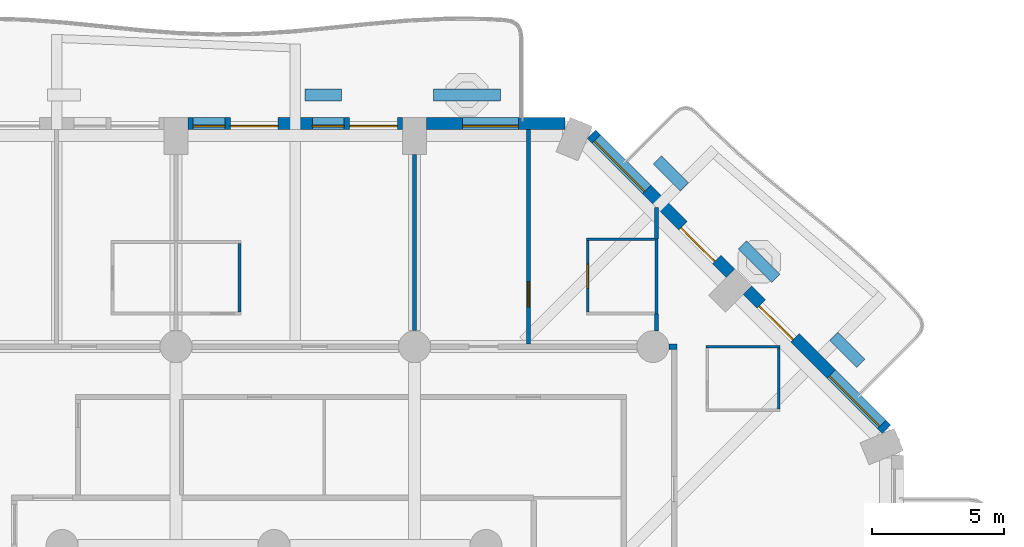
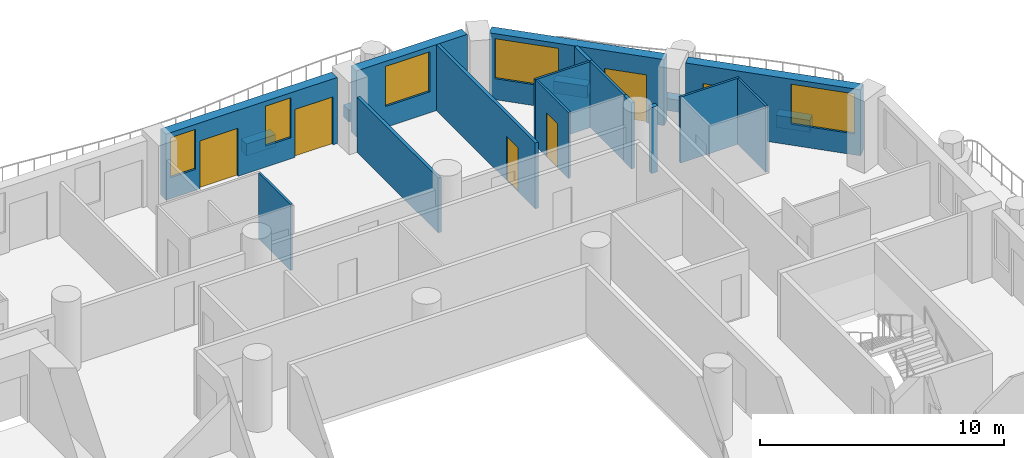
# One storey, part 10 of 20: 20 walls, 6 doors, 5 windows, 11 openings.
"""IFC4 building model written with IfcOpenShell, lengths in metres."""

from ifc_helpers import new_model, si_unit, direction, frame, frame_2d, origin, place, context, subcontext, project, spatial, rectangle, extrude, material, layer, layer_set, type_object, element, fill, save


model = new_model("IFC4")

# Units and contexts
model_context = context("Model", 3, precision=1e-05, world=origin(), true_north=direction((0.0, 1.0)))
body_context = subcontext(model_context, "Body", "Model", "MODEL_VIEW")
ifc_project = project(units=[si_unit("LENGTHUNIT", "METRE"), si_unit("AREAUNIT", "SQUARE_METRE"), si_unit("VOLUMEUNIT", "CUBIC_METRE"), si_unit("PLANEANGLEUNIT", "RADIAN"), si_unit("MASSUNIT", "GRAM", prefix="KILO")], contexts=[model_context])

# Site, building, storey
site_placement = place(None, origin())
site = spatial("IfcSite", under=ifc_project, at=site_placement, CompositionType="ELEMENT")
building_placement = place(site_placement, origin())
building = spatial("IfcBuilding", under=site, at=building_placement, Name="Cypress Arch Tower", CompositionType="ELEMENT")
storey_placement = place(building_placement, frame((0.0, 0.0, 95.10009765625)))
storey = spatial("IfcBuildingStorey", under=building, at=storey_placement, Name="L18", CompositionType="ELEMENT", Elevation=95.10009765625)

# Walls
ifc_material_1 = material(Name="Concrete C40/50, waterproofed", Category="concrete")
ifc_layer_1 = layer(ifc_material_1, 0.449951171875)
ifc_layer_set_1 = layer_set([ifc_layer_1], Name="Balcony planter wall PW450")
wall_type_1 = type_object("IfcWallType", Name="Balcony planter wall PW450", PredefinedType="SOLIDWALL", material=ifc_layer_set_1)
wall_1_placement = place(storey_placement, frame((23.150390625, 16.86376953125, 0.0), z_axis=(0.0, 0.0, 1.0), x_axis=(-0.707106781187, 0.707106781187, 0.0)))
element("IfcWall", 1, at=wall_1_placement, inside=storey, type_object=wall_type_1, Name="Balcony planter wall L18-A07.1", PredefinedType="SOLIDWALL", context=body_context, shape_type="SweptSolid", body=[
    extrude(rectangle(XDim=1.44482421875, YDim=0.449951171875, at=frame_2d((0.722412109375, 0.0))), origin(), (0.0, 0.0, 1.0), 0.599853515625),
])
wall_2_placement = place(storey_placement, frame((19.9365234375, 20.07763671875, 0.0), z_axis=(0.0, 0.0, 1.0), x_axis=(-0.707106781187, 0.707106781187, 0.0)))
element("IfcWall", 2, at=wall_2_placement, inside=storey, type_object=wall_type_1, Name="Balcony planter wall L18-A07.2", PredefinedType="SOLIDWALL", context=body_context, shape_type="SweptSolid", body=[
    extrude(rectangle(XDim=1.780517578125, YDim=0.449951171875, at=frame_2d((0.89013671875, 0.0))), origin(), (0.0, 0.0, 1.0), 0.599853515625),
])
wall_3_placement = place(storey_placement, frame((16.485595703125, 23.528564453125, 0.0), z_axis=(0.0, 0.0, 1.0), x_axis=(-0.707022305137, 0.707191247145, 0.0)))
element("IfcWall", 3, at=wall_3_placement, inside=storey, type_object=wall_type_1, Name="Balcony planter wall L18-A07.3", PredefinedType="SOLIDWALL", context=body_context, shape_type="SweptSolid", body=[
    extrude(rectangle(XDim=1.445068359375, YDim=0.449951171875, at=frame_2d((0.72265625, 0.0))), origin(), (0.0, 0.0, 1.0), 0.599853515625),
])
wall_4_placement = place(storey_placement, frame((9.550048828125, 27.0, 0.0), z_axis=(0.0, 0.0, 1.0), x_axis=(-1.0, 0.0, 0.0)))
element("IfcWall", 4, at=wall_4_placement, inside=storey, type_object=wall_type_1, Name="Balcony planter wall L18-A08.1", PredefinedType="SOLIDWALL", context=body_context, shape_type="SweptSolid", body=[
    extrude(rectangle(XDim=2.53759765625, YDim=0.449951171875, at=frame_2d((1.268798828125, 0.0))), origin(), (0.0, 0.0, 1.0), 0.599853515625),
])
wall_5_placement = place(storey_placement, frame((3.550048828125, 27.0, 0.0), z_axis=(0.0, 0.0, 1.0), x_axis=(-1.0, 0.0, 0.0)))
element("IfcWall", 5, at=wall_5_placement, inside=storey, type_object=wall_type_1, Name="Balcony planter wall L18-A08.2", PredefinedType="SOLIDWALL", context=body_context, shape_type="SweptSolid", body=[
    extrude(rectangle(XDim=1.375, YDim=0.449951171875, at=frame_2d((0.6875, 0.0))), origin(), (0.0, 0.0, 1.0), 0.599853515625),
])

# Wall, openings, door, window
ifc_material_2 = material(Name="Brick (red buff blend)", Category="masonry")
ifc_layer_2 = layer(ifc_material_2, 0.449951171875)
ifc_layer_set_2 = layer_set([ifc_layer_2], Name="Brick pier and spandrel wall BW450")
wall_type_2 = type_object("IfcWallType", Name="Brick pier and spandrel wall BW450", PredefinedType="SOLIDWALL", material=ifc_layer_set_2)
wall_6_placement = place(storey_placement, frame((24.11474609375, 14.379150390625, 0.0), z_axis=(0.0, 0.0, 1.0), x_axis=(-0.707106781187, 0.707106781187, 0.0)))
wall_6 = element("IfcWall", 6, at=wall_6_placement, inside=storey, type_object=wall_type_2, Name="Brick wall L18 A07.0", PredefinedType="SOLIDWALL", context=body_context, shape_type="SweptSolid", body=[
    extrude(rectangle(XDim=7.423828125, YDim=0.449951171875, at=frame_2d((3.7119140625, 0.0))), origin(), (0.0, 0.0, 1.0), 3.2998046875),
])
opening_1_placement = place(wall_6_placement, frame((0.253173828125, 0.0, 1.050048828125)))
opening_1 = element("IfcOpeningElement", 7, at=opening_1_placement, cuts=wall_6, Name="Opening W270HD", PredefinedType="OPENING", context=body_context, shape_type="SweptSolid", body=[
    extrude(rectangle(XDim=2.699951171875, YDim=2.0, at=frame_2d((1.35009765625, 1.0))), frame((0.0, 0.23486328125, 0.0), z_axis=(0.0, -1.0, 0.0), x_axis=(1.0, 0.0, 0.0)), (0.0, 0.0, 1.0), 0.469970703125),
])
opening_2_placement = place(wall_6_placement, frame((4.8837890625, 0.0, 0.0)))
opening_2 = element("IfcOpeningElement", 8, at=opening_2_placement, cuts=wall_6, Name="Opening D-L18-A07.0.2", PredefinedType="OPENING", context=body_context, shape_type="SweptSolid", body=[
    extrude(rectangle(XDim=1.800048828125, YDim=2.39990234375, at=frame_2d((0.89990234375, 1.199951171875))), frame((0.0, 0.23486328125, 0.0), z_axis=(0.0, -1.0, 0.0), x_axis=(1.0, 0.0, 0.0)), (0.0, 0.0, 1.0), 0.469970703125),
])
ifc_material_3 = material(Name="Anodised aluminium, bronze finish, laminated low-emissivity double glazing, large-missile impact rated", Category="aluminium")
door_type_1 = type_object("IfcDoorType", Name="Balcony sliding door 1800x2400", OperationType="SLIDING_TO_LEFT", PredefinedType="DOOR", material=ifc_material_3)
door_1_placement = place(opening_2_placement, origin())
door_1 = element("IfcDoor", 9, at=door_1_placement, inside=storey, type_object=door_type_1, Name="Balcony door L18 A07.0.2", OperationType="SLIDING_TO_LEFT", OverallHeight=2.39990234375, OverallWidth=1.800048828125, PredefinedType="DOOR", context=body_context, shape_type="SweptSolid", body=[
    extrude(rectangle(XDim=1.800048828125, YDim=2.39990234375, at=frame_2d((0.89990234375, 1.199951171875))), frame((0.0, 0.1298828125, 0.0), z_axis=(0.0, -1.0, 0.0), x_axis=(1.0, 0.0, 0.0)), (0.0, 0.0, 1.0), 0.050048828125),
])
fill(opening_2, door_1)
ifc_material_4 = material(Name="Anodised aluminium, bronze finish, laminated low-emissivity double glazing, large-missile impact rated", Category="aluminium")
window_type_1 = type_object("IfcWindowType", Name="Window Hotel 2700x2000 debris-rated", PartitioningType="SINGLE_PANEL", PredefinedType="WINDOW", material=ifc_material_4)
window_1_placement = place(opening_1_placement, origin())
window_1 = element("IfcWindow", 10, at=window_1_placement, inside=storey, type_object=window_type_1, Name="Window L18 A07.0.1", OverallHeight=2.0, OverallWidth=2.699951171875, PartitioningType="SINGLE_PANEL", PredefinedType="WINDOW", context=body_context, shape_type="SweptSolid", body=[
    extrude(rectangle(XDim=2.699951171875, YDim=2.0, at=frame_2d((1.35009765625, 1.0))), frame((0.0, 0.135009765625, 0.0), z_axis=(0.0, -1.0, 0.0), x_axis=(1.0, 0.0, 0.0)), (0.0, 0.0, 1.0), 0.06005859375),
])
fill(opening_1, window_1)

wall_7_placement = place(storey_placement, frame((18.228759765625, 20.26513671875, 0.0), z_axis=(0.0, 0.0, 1.0), x_axis=(-0.707106781187, 0.707106781187, 0.0)))
wall_7 = element("IfcWall", 11, at=wall_7_placement, inside=storey, type_object=wall_type_2, Name="Brick wall L18 A07.1", PredefinedType="SOLIDWALL", context=body_context, shape_type="SweptSolid", body=[
    extrude(rectangle(XDim=7.423828125, YDim=0.449951171875, at=frame_2d((3.7119140625, 0.0))), origin(), (0.0, 0.0, 1.0), 3.2998046875),
])
opening_3_placement = place(wall_7_placement, frame((0.740234375, 0.0, 0.0)))
opening_3 = element("IfcOpeningElement", 12, at=opening_3_placement, cuts=wall_7, Name="Opening D-L18-A07.1.1", PredefinedType="OPENING", context=body_context, shape_type="SweptSolid", body=[
    extrude(rectangle(XDim=1.800048828125, YDim=2.39990234375, at=frame_2d((0.89990234375, 1.199951171875))), frame((0.0, 0.23486328125, 0.0), z_axis=(0.0, -1.0, 0.0), x_axis=(1.0, 0.0, 0.0)), (0.0, 0.0, 1.0), 0.469970703125),
])
opening_4_placement = place(wall_7_placement, frame((4.470703125, 0.0, 1.050048828125)))
opening_4 = element("IfcOpeningElement", 13, at=opening_4_placement, cuts=wall_7, Name="Opening W270HD", PredefinedType="OPENING", context=body_context, shape_type="SweptSolid", body=[
    extrude(rectangle(XDim=2.699951171875, YDim=2.0, at=frame_2d((1.35009765625, 1.0))), frame((0.0, 0.23486328125, 0.0), z_axis=(0.0, -1.0, 0.0), x_axis=(1.0, 0.0, 0.0)), (0.0, 0.0, 1.0), 0.469970703125),
])
door_2_placement = place(opening_3_placement, origin())
door_2 = element("IfcDoor", 14, at=door_2_placement, inside=storey, type_object=door_type_1, Name="Balcony door L18 A07.1.1", OperationType="SLIDING_TO_LEFT", OverallHeight=2.39990234375, OverallWidth=1.800048828125, PredefinedType="DOOR", context=body_context, shape_type="SweptSolid", body=[
    extrude(rectangle(XDim=1.800048828125, YDim=2.39990234375, at=frame_2d((0.89990234375, 1.199951171875))), frame((0.0, 0.1298828125, 0.0), z_axis=(0.0, -1.0, 0.0), x_axis=(1.0, 0.0, 0.0)), (0.0, 0.0, 1.0), 0.050048828125),
])
fill(opening_3, door_2)
window_2_placement = place(opening_4_placement, origin())
window_2 = element("IfcWindow", 15, at=window_2_placement, inside=storey, type_object=window_type_1, Name="Window L18 A07.1.2", OverallHeight=2.0, OverallWidth=2.699951171875, PartitioningType="SINGLE_PANEL", PredefinedType="WINDOW", context=body_context, shape_type="SweptSolid", body=[
    extrude(rectangle(XDim=2.699951171875, YDim=2.0, at=frame_2d((1.35009765625, 1.0))), frame((0.0, 0.135009765625, 0.0), z_axis=(0.0, -1.0, 0.0), x_axis=(1.0, 0.0, 0.0)), (0.0, 0.0, 1.0), 0.06005859375),
])
fill(opening_4, window_2)

# Wall, opening, window
wall_8_placement = place(storey_placement, frame((11.98876953125, 25.925048828125, 0.0), z_axis=(0.0, 0.0, 1.0), x_axis=(-1.0, 0.0, 0.0)))
wall_8 = element("IfcWall", 16, at=wall_8_placement, inside=storey, type_object=wall_type_2, Name="Brick wall L18 A08.0", PredefinedType="SOLIDWALL", context=body_context, shape_type="SweptSolid", body=[
    extrude(rectangle(XDim=5.23876953125, YDim=0.449951171875, at=frame_2d((2.619384765625, 0.0))), origin(), (0.0, 0.0, 1.0), 3.2998046875),
])
opening_5_placement = place(wall_8_placement, frame((1.769775390625, 0.0, 1.050048828125)))
opening_5 = element("IfcOpeningElement", 17, at=opening_5_placement, cuts=wall_8, Name="Opening W210HD", PredefinedType="OPENING", context=body_context, shape_type="SweptSolid", body=[
    extrude(rectangle(XDim=2.10009765625, YDim=2.0, at=frame_2d((1.050048828125, 1.0))), frame((0.0, 0.23486328125, 0.0), z_axis=(0.0, -1.0, 0.0), x_axis=(1.0, 0.0, 0.0)), (0.0, 0.0, 1.0), 0.469970703125),
])
ifc_material_5 = material(Name="Anodised aluminium, bronze finish, laminated low-emissivity double glazing, large-missile impact rated", Category="aluminium")
window_type_2 = type_object("IfcWindowType", Name="Window Hotel 2100x2000 debris-rated", PartitioningType="SINGLE_PANEL", PredefinedType="WINDOW", material=ifc_material_5)
window_3_placement = place(opening_5_placement, origin())
window_3 = element("IfcWindow", 18, at=window_3_placement, inside=storey, type_object=window_type_2, Name="Window L18 A08.0.1", OverallHeight=2.0, OverallWidth=2.10009765625, PartitioningType="SINGLE_PANEL", PredefinedType="WINDOW", context=body_context, shape_type="SweptSolid", body=[
    extrude(rectangle(XDim=2.10009765625, YDim=2.0, at=frame_2d((1.050048828125, 1.0))), frame((0.0, 0.135009765625, 0.0), z_axis=(0.0, -1.0, 0.0), x_axis=(1.0, 0.0, 0.0)), (0.0, 0.0, 1.0), 0.06005859375),
])
fill(opening_5, window_3)

# Wall, openings, doors, windows
wall_9_placement = place(storey_placement, frame((5.85009765625, 25.925048828125, 0.0), z_axis=(0.0, 0.0, 1.0), x_axis=(-1.0, 0.0, 0.0)))
wall_9 = element("IfcWall", 19, at=wall_9_placement, inside=storey, type_object=wall_type_2, Name="Brick wall L18 A08.1", PredefinedType="SOLIDWALL", context=body_context, shape_type="SweptSolid", body=[
    extrude(rectangle(XDim=8.10009765625, YDim=0.449951171875, at=frame_2d((4.050048828125, 0.0))), origin(), (0.0, 0.0, 1.0), 3.2998046875),
])
opening_6_placement = place(wall_9_placement, frame((0.199951171875, 0.0, 0.0)))
opening_6 = element("IfcOpeningElement", 20, at=opening_6_placement, cuts=wall_9, Name="Opening D-L18-A08.1.1", PredefinedType="OPENING", context=body_context, shape_type="SweptSolid", body=[
    extrude(rectangle(XDim=1.800048828125, YDim=2.39990234375, at=frame_2d((0.89990234375, 1.199951171875))), frame((0.0, 0.23486328125, 0.0), z_axis=(0.0, -1.0, 0.0), x_axis=(1.0, 0.0, 0.0)), (0.0, 0.0, 1.0), 0.469970703125),
])
opening_7_placement = place(wall_9_placement, frame((2.199951171875, 0.0, 1.050048828125)))
opening_7 = element("IfcOpeningElement", 21, at=opening_7_placement, cuts=wall_9, Name="Opening W120HD", PredefinedType="OPENING", context=body_context, shape_type="SweptSolid", body=[
    extrude(rectangle(XDim=1.199951171875, YDim=2.0, at=frame_2d((0.60009765625, 1.0))), frame((0.0, 0.23486328125, 0.0), z_axis=(0.0, -1.0, 0.0), x_axis=(1.0, 0.0, 0.0)), (0.0, 0.0, 1.0), 0.469970703125),
])
opening_8_placement = place(wall_9_placement, frame((4.699951171875, 0.0, 0.0)))
opening_8 = element("IfcOpeningElement", 22, at=opening_8_placement, cuts=wall_9, Name="Opening D-L18-A08.1.2", PredefinedType="OPENING", context=body_context, shape_type="SweptSolid", body=[
    extrude(rectangle(XDim=1.800048828125, YDim=2.39990234375, at=frame_2d((0.89990234375, 1.199951171875))), frame((0.0, 0.23486328125, 0.0), z_axis=(0.0, -1.0, 0.0), x_axis=(1.0, 0.0, 0.0)), (0.0, 0.0, 1.0), 0.469970703125),
])
opening_9_placement = place(wall_9_placement, frame((6.699951171875, 0.0, 1.050048828125)))
opening_9 = element("IfcOpeningElement", 23, at=opening_9_placement, cuts=wall_9, Name="Opening W120HD", PredefinedType="OPENING", context=body_context, shape_type="SweptSolid", body=[
    extrude(rectangle(XDim=1.199951171875, YDim=2.0, at=frame_2d((0.60009765625, 1.0))), frame((0.0, 0.23486328125, 0.0), z_axis=(0.0, -1.0, 0.0), x_axis=(1.0, 0.0, 0.0)), (0.0, 0.0, 1.0), 0.469970703125),
])
door_3_placement = place(opening_6_placement, origin())
door_3 = element("IfcDoor", 24, at=door_3_placement, inside=storey, type_object=door_type_1, Name="Balcony door L18 A08.1.1", OperationType="SLIDING_TO_LEFT", OverallHeight=2.39990234375, OverallWidth=1.800048828125, PredefinedType="DOOR", context=body_context, shape_type="SweptSolid", body=[
    extrude(rectangle(XDim=1.800048828125, YDim=2.39990234375, at=frame_2d((0.89990234375, 1.199951171875))), frame((0.0, 0.1298828125, 0.0), z_axis=(0.0, -1.0, 0.0), x_axis=(1.0, 0.0, 0.0)), (0.0, 0.0, 1.0), 0.050048828125),
])
fill(opening_6, door_3)
door_4_placement = place(opening_8_placement, origin())
door_4 = element("IfcDoor", 25, at=door_4_placement, inside=storey, type_object=door_type_1, Name="Balcony door L18 A08.1.2", OperationType="SLIDING_TO_LEFT", OverallHeight=2.39990234375, OverallWidth=1.800048828125, PredefinedType="DOOR", context=body_context, shape_type="SweptSolid", body=[
    extrude(rectangle(XDim=1.800048828125, YDim=2.39990234375, at=frame_2d((0.89990234375, 1.199951171875))), frame((0.0, 0.1298828125, 0.0), z_axis=(0.0, -1.0, 0.0), x_axis=(1.0, 0.0, 0.0)), (0.0, 0.0, 1.0), 0.050048828125),
])
fill(opening_8, door_4)
ifc_material_6 = material(Name="Anodised aluminium, bronze finish, laminated low-emissivity double glazing, large-missile impact rated", Category="aluminium")
window_type_3 = type_object("IfcWindowType", Name="Window Hotel 1200x2000 debris-rated", PartitioningType="SINGLE_PANEL", PredefinedType="WINDOW", material=ifc_material_6)
window_4_placement = place(opening_7_placement, origin())
window_4 = element("IfcWindow", 26, at=window_4_placement, inside=storey, type_object=window_type_3, Name="Window L18 A08.1.1", OverallHeight=2.0, OverallWidth=1.199951171875, PartitioningType="SINGLE_PANEL", PredefinedType="WINDOW", context=body_context, shape_type="SweptSolid", body=[
    extrude(rectangle(XDim=1.199951171875, YDim=2.0, at=frame_2d((0.60009765625, 1.0))), frame((0.0, 0.135009765625, 0.0), z_axis=(0.0, -1.0, 0.0), x_axis=(1.0, 0.0, 0.0)), (0.0, 0.0, 1.0), 0.06005859375),
])
fill(opening_7, window_4)
window_5_placement = place(opening_9_placement, origin())
window_5 = element("IfcWindow", 27, at=window_5_placement, inside=storey, type_object=window_type_3, Name="Window L18 A08.1.2", OverallHeight=2.0, OverallWidth=1.199951171875, PartitioningType="SINGLE_PANEL", PredefinedType="WINDOW", context=body_context, shape_type="SweptSolid", body=[
    extrude(rectangle(XDim=1.199951171875, YDim=2.0, at=frame_2d((0.60009765625, 1.0))), frame((0.0, 0.135009765625, 0.0), z_axis=(0.0, -1.0, 0.0), x_axis=(1.0, 0.0, 0.0)), (0.0, 0.0, 1.0), 0.06005859375),
])
fill(opening_9, window_5)

# Walls
ifc_material_7 = material(Name="Concrete blockwork, plastered, rated", Category="masonry")
ifc_layer_3 = layer(ifc_material_7, 0.199951171875)
ifc_layer_set_3 = layer_set([ifc_layer_3], Name="Corridor wall FW200")
wall_type_3 = type_object("IfcWallType", Name="Corridor wall FW200", PredefinedType="PARTITIONING", material=ifc_layer_set_3)
wall_10_placement = place(storey_placement, frame((15.89990234375, 17.5, 0.0), z_axis=(0.0, 0.0, 1.0), x_axis=(1.0, 0.0, 0.0)))
element("IfcWall", 28, at=wall_10_placement, inside=storey, type_object=wall_type_3, Name="Corridor wall", PredefinedType="PARTITIONING", context=body_context, shape_type="SweptSolid", body=[
    extrude(rectangle(XDim=0.300048828125, YDim=0.199951171875, at=frame_2d((0.14990234375, 0.0))), origin(), (0.0, 0.0, 1.0), 3.2998046875),
])
ifc_material_8 = material(Name="Blockwork, plastered both sides", Category="masonry")
ifc_layer_4 = layer(ifc_material_8, 0.14990234375)
ifc_layer_set_4 = layer_set([ifc_layer_4], Name="Partition PW150")
wall_type_4 = type_object("IfcWallType", Name="Partition PW150", PredefinedType="PARTITIONING", material=ifc_layer_set_4)
wall_11_placement = place(storey_placement, frame((6.300048828125, 18.10009765625, 0.0), z_axis=(0.0, 0.0, 1.0), x_axis=(0.0, 1.0, 0.0)))
element("IfcWall", 29, at=wall_11_placement, inside=storey, type_object=wall_type_4, Name="Partition", PredefinedType="PARTITIONING", context=body_context, shape_type="SweptSolid", body=[
    extrude(rectangle(XDim=6.64990234375, YDim=0.14990234375, at=frame_2d((3.324951171875, 0.0))), origin(), (0.0, 0.0, 1.0), 2.75),
])

# Wall, opening, door
wall_12_placement = place(storey_placement, frame((10.60009765625, 17.60009765625, 0.0), z_axis=(0.0, 0.0, 1.0), x_axis=(0.0, 1.0, 0.0)))
wall_12 = element("IfcWall", 30, at=wall_12_placement, inside=storey, type_object=wall_type_4, Name="Partition", PredefinedType="PARTITIONING", context=body_context, shape_type="SweptSolid", body=[
    extrude(rectangle(XDim=8.099853515625, YDim=0.14990234375, at=frame_2d((4.0498046875, 0.0))), origin(), (0.0, 0.0, 1.0), 3.2998046875),
])
opening_10_placement = place(wall_12_placement, frame((1.39990234375, 0.0, 0.0)))
opening_10 = element("IfcOpeningElement", 31, at=opening_10_placement, cuts=wall_12, Name="Opening D12", PredefinedType="OPENING", context=body_context, shape_type="SweptSolid", body=[
    extrude(rectangle(XDim=0.949951171875, YDim=2.199951171875, at=frame_2d((0.47509765625, 1.10009765625))), frame((0.0, 0.0849609375, 0.0), z_axis=(0.0, -1.0, 0.0), x_axis=(1.0, 0.0, 0.0)), (0.0, 0.0, 1.0), 0.169921875),
])
ifc_material_9 = material(Name="Timber flush door", Category="wood")
door_type_2 = type_object("IfcDoorType", Name="Room door D12 950x2200", OperationType="SINGLE_SWING_LEFT", PredefinedType="DOOR", material=ifc_material_9)
door_5_placement = place(opening_10_placement, origin())
door_5 = element("IfcDoor", 32, at=door_5_placement, inside=storey, type_object=door_type_2, Name="Room door", OperationType="SINGLE_SWING_LEFT", OverallHeight=2.199951171875, OverallWidth=0.949951171875, PredefinedType="DOOR", context=body_context, shape_type="SweptSolid", body=[
    extrude(rectangle(XDim=0.949951171875, YDim=2.199951171875, at=frame_2d((0.47509765625, 1.10009765625))), frame((0.0, 0.02490234375, 0.0), z_axis=(0.0, -1.0, 0.0), x_axis=(1.0, 0.0, 0.0)), (0.0, 0.0, 1.0), 0.050048828125),
])
fill(opening_10, door_5)

# Walls
wall_13_placement = place(storey_placement, frame((15.431884765625, 18.093994140625, 0.0), z_axis=(0.0, 0.0, 1.0), x_axis=(0.0, 1.0, 0.0)))
element("IfcWall", 33, at=wall_13_placement, inside=storey, type_object=wall_type_4, Name="Partition", PredefinedType="PARTITIONING", context=body_context, shape_type="SweptSolid", body=[
    extrude(rectangle(XDim=0.635986328125, YDim=0.14990234375, at=frame_2d((0.31787109375, 0.0))), origin(), (0.0, 0.0, 1.0), 3.2998046875),
])
wall_14_placement = place(storey_placement, frame((15.431884765625, 21.570068359375, 0.0), z_axis=(0.0, 0.0, 1.0), x_axis=(0.0, 1.0, 0.0)))
element("IfcWall", 34, at=wall_14_placement, inside=storey, type_object=wall_type_4, Name="Partition", PredefinedType="PARTITIONING", context=body_context, shape_type="SweptSolid", body=[
    extrude(rectangle(XDim=1.173583984375, YDim=0.14990234375, at=frame_2d((0.5869140625, 0.0))), origin(), (0.0, 0.0, 1.0), 3.2998046875),
])
ifc_material_10 = material(Name="Moisture resistant board on steel studs, tiled", Category="steel")
ifc_layer_5 = layer(ifc_material_10, 0.10009765625)
ifc_layer_set_5 = layer_set([ifc_layer_5], Name="Wet wall PW100")
wall_type_5 = type_object("IfcWallType", Name="Wet wall PW100", PredefinedType="PARTITIONING", material=ifc_layer_set_5)
wall_15_placement = place(storey_placement, frame((-0.303955078125, 18.800048828125, 0.0), z_axis=(0.0, 0.0, 1.0), x_axis=(0.0, 1.0, 0.0)))
element("IfcWall", 35, at=wall_15_placement, inside=storey, type_object=wall_type_5, Name="Wet wall", PredefinedType="PARTITIONING", context=body_context, shape_type="SweptSolid", body=[
    extrude(rectangle(XDim=2.599853515625, YDim=0.10009765625, at=frame_2d((1.2998046875, 0.0))), origin(), (0.0, 0.0, 1.0), 3.2998046875),
])

# Wall, opening, door
wall_16_placement = place(storey_placement, frame((12.8359375, 18.800048828125, 0.0), z_axis=(0.0, 0.0, 1.0), x_axis=(0.0, 1.0, 0.0)))
wall_16 = element("IfcWall", 36, at=wall_16_placement, inside=storey, type_object=wall_type_5, Name="Wet wall", PredefinedType="PARTITIONING", context=body_context, shape_type="SweptSolid", body=[
    extrude(rectangle(XDim=2.699951171875, YDim=0.10009765625, at=frame_2d((1.35009765625, 0.0))), origin(), (0.0, 0.0, 1.0), 3.2998046875),
])
opening_11_placement = place(wall_16_placement, frame((0.89990234375, 0.0, 0.0)))
opening_11 = element("IfcOpeningElement", 37, at=opening_11_placement, cuts=wall_16, Name="Opening D03", PredefinedType="OPENING", context=body_context, shape_type="SweptSolid", body=[
    extrude(rectangle(XDim=0.89990234375, YDim=2.199951171875, at=frame_2d((0.449951171875, 1.10009765625))), frame((0.0, 0.06005859375, 0.0), z_axis=(0.0, -1.0, 0.0), x_axis=(1.0, 0.0, 0.0)), (0.0, 0.0, 1.0), 0.1201171875),
])
ifc_material_11 = material(Name="Timber flush door, moisture resistant", Category="wood")
door_type_3 = type_object("IfcDoorType", Name="Bathroom door D03 900x2200", OperationType="SINGLE_SWING_LEFT", PredefinedType="DOOR", material=ifc_material_11)
door_6_placement = place(opening_11_placement, origin())
door_6 = element("IfcDoor", 38, at=door_6_placement, inside=storey, type_object=door_type_3, Name="Bathroom door", OperationType="SINGLE_SWING_LEFT", OverallHeight=2.199951171875, OverallWidth=0.89990234375, PredefinedType="DOOR", context=body_context, shape_type="SweptSolid", body=[
    extrude(rectangle(XDim=0.89990234375, YDim=2.199951171875, at=frame_2d((0.449951171875, 1.10009765625))), frame((0.0, 0.02490234375, 0.0), z_axis=(0.0, -1.0, 0.0), x_axis=(1.0, 0.0, 0.0)), (0.0, 0.0, 1.0), 0.050048828125),
])
fill(opening_11, door_6)

# Walls
wall_17_placement = place(storey_placement, frame((12.785888671875, 21.550048828125, 0.0), z_axis=(0.0, 0.0, 1.0), x_axis=(1.0, 0.0, 0.0)))
element("IfcWall", 39, at=wall_17_placement, inside=storey, type_object=wall_type_5, Name="Wet wall", PredefinedType="PARTITIONING", context=body_context, shape_type="SweptSolid", body=[
    extrude(rectangle(XDim=2.571044921875, YDim=0.10009765625, at=frame_2d((1.28564453125, 0.0))), origin(), (0.0, 0.0, 1.0), 3.2998046875),
])
wall_18_placement = place(storey_placement, frame((15.431884765625, 18.72998046875, 0.0), z_axis=(0.0, 0.0, 1.0), x_axis=(0.0, 1.0, 0.0)))
element("IfcWall", 40, at=wall_18_placement, inside=storey, type_object=wall_type_5, Name="Wet wall", PredefinedType="PARTITIONING", context=body_context, shape_type="SweptSolid", body=[
    extrude(rectangle(XDim=2.840087890625, YDim=0.10009765625, at=frame_2d((1.419921875, 0.0))), origin(), (0.0, 0.0, 1.0), 3.2998046875),
])
wall_19_placement = place(storey_placement, frame((17.300048828125, 17.5, 0.0), z_axis=(0.0, 0.0, 1.0), x_axis=(1.0, 0.0, 0.0)))
element("IfcWall", 41, at=wall_19_placement, inside=storey, type_object=wall_type_5, Name="Wet wall", PredefinedType="PARTITIONING", context=body_context, shape_type="SweptSolid", body=[
    extrude(rectangle(XDim=2.800048828125, YDim=0.10009765625, at=frame_2d((1.39990234375, 0.0))), origin(), (0.0, 0.0, 1.0), 3.2998046875),
])
wall_20_placement = place(storey_placement, frame((20.050048828125, 15.14990234375, 0.0), z_axis=(0.0, 0.0, 1.0), x_axis=(0.0, 1.0, 0.0)))
element("IfcWall", 42, at=wall_20_placement, inside=storey, type_object=wall_type_5, Name="Wet wall", PredefinedType="PARTITIONING", context=body_context, shape_type="SweptSolid", body=[
    extrude(rectangle(XDim=2.300048828125, YDim=0.10009765625, at=frame_2d((1.14990234375, 0.0))), origin(), (0.0, 0.0, 1.0), 3.2998046875),
])

save(model, "model.ifc")
